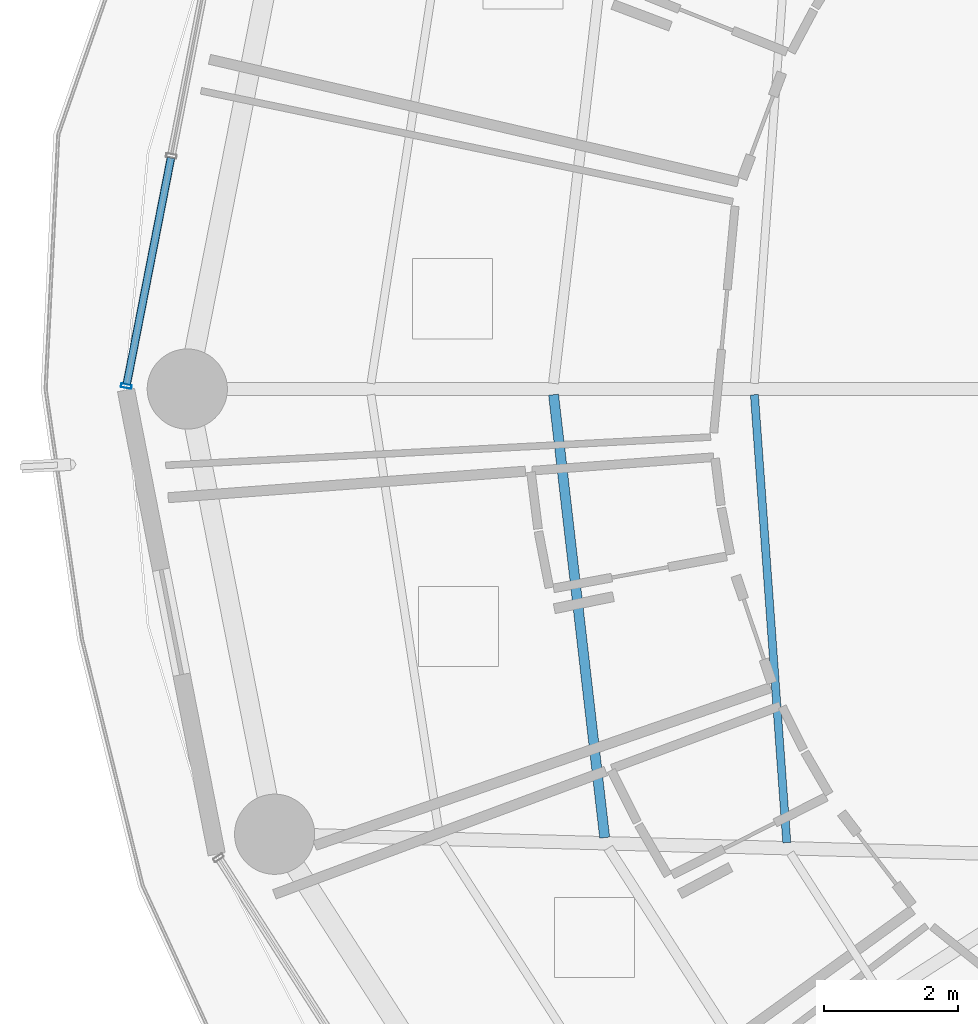
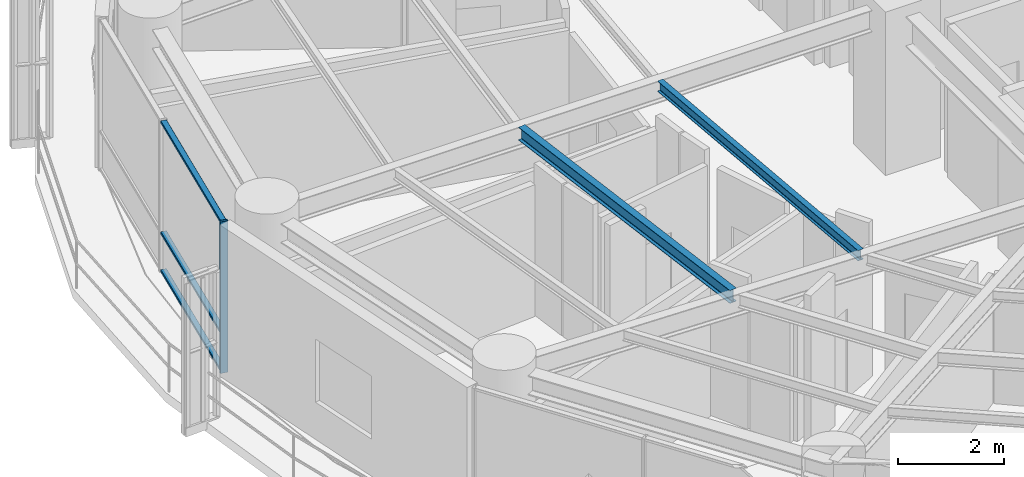
# One storey, part 6 of 27: 4 members, 2 beams, 1 element without a shape of its own.
"""IFC4 building model written with IfcOpenShell, lengths in metres."""

from ifc_helpers import new_model, si_unit, direction, frame, origin, origin_2d, place, context, subcontext, project, spatial, hollow_rectangle, i_section, extrude, material, layer, layer_set, material_profile, profile_set, type_object, element, aggregate, save


model = new_model("IFC4")

# Units and contexts
model_context = context("Model", 3, precision=1e-05, world=origin(), true_north=direction((0.0, 1.0)))
body_context = subcontext(model_context, "Body", "Model", "MODEL_VIEW")
ifc_project = project(units=[si_unit("LENGTHUNIT", "METRE"), si_unit("AREAUNIT", "SQUARE_METRE"), si_unit("VOLUMEUNIT", "CUBIC_METRE"), si_unit("PLANEANGLEUNIT", "RADIAN"), si_unit("MASSUNIT", "GRAM", prefix="KILO")], contexts=[model_context])

# Site, building, storey
site_placement = place(None, origin())
site = spatial("IfcSite", under=ifc_project, at=site_placement, CompositionType="ELEMENT")
building_placement = place(site_placement, origin())
building = spatial("IfcBuilding", under=site, at=building_placement, Name="Kelanora Arch Commons", CompositionType="ELEMENT")
storey_placement = place(building_placement, frame((0.0, 0.0, 143.10009765625)))
storey = spatial("IfcBuildingStorey", under=building, at=storey_placement, Name="L36", CompositionType="ELEMENT", Elevation=143.10009765625)

# Beams
ifc_material_1 = material(Name="Steel S355", Category="steel")
ifc_material_profile_1 = material_profile(ifc_material_1, i_section(OverallWidth=0.14990234375, OverallDepth=0.300048828125, WebThickness=0.007080078125, FlangeThickness=0.0107421875, FilletRadius=0.014892578125, at=origin_2d()), Name="IPE300")
ifc_profile_set_1 = profile_set([ifc_material_profile_1], Name="Steel S355")
beam_type_1 = type_object("IfcBeamType", Name="BM-JST-01", PredefinedType="JOIST", material=ifc_profile_set_1)
beam_1_placement = place(storey_placement, frame((57.8017578125, 57.91552734375, 3.33984375), z_axis=(0.114667159005, -0.9934039675, 0.0), x_axis=(0.9934039675, 0.114667159005, 0.0)))
element("IfcBeam", 1, at=beam_1_placement, inside=storey, type_object=beam_type_1, Name="Secondary Chord Joist BJB-18 L36", PredefinedType="JOIST", context=body_context, shape_type="SweptSolid", body=[
    extrude(i_section(OverallWidth=0.14990234375, OverallDepth=0.300048828125, WebThickness=0.007080078125, FlangeThickness=0.0107421875, FilletRadius=0.014892578125, at=origin_2d()), origin(), (0.0, 0.0, 1.0), 6.672607421875),
])
ifc_material_profile_2 = material_profile(ifc_material_1, i_section(OverallWidth=0.1201171875, OverallDepth=0.239990234375, WebThickness=0.006103515625, FlangeThickness=0.009765625, FilletRadius=0.014892578125, at=origin_2d()), Name="IPE240")
ifc_profile_set_2 = profile_set([ifc_material_profile_2], Name="Steel S355")
beam_type_2 = type_object("IfcBeamType", Name="BM-JST-02", PredefinedType="JOIST", material=ifc_profile_set_2)
beam_2_placement = place(storey_placement, frame((60.8076171875, 57.915283203125, 3.369873046875), z_axis=(0.072117123738, -0.997396170267, 0.0), x_axis=(0.997396170267, 0.072117123738, 0.0)))
element("IfcBeam", 2, at=beam_2_placement, inside=storey, type_object=beam_type_2, Name="Secondary Chord Joist BJA-18 L36", PredefinedType="JOIST", context=body_context, shape_type="SweptSolid", body=[
    extrude(i_section(OverallWidth=0.1201171875, OverallDepth=0.239990234375, WebThickness=0.006103515625, FlangeThickness=0.009765625, FilletRadius=0.014892578125, at=origin_2d()), origin(), (0.0, 0.0, 1.0), 6.719970703125),
])

# Curtain wall, members
ifc_material_2 = material(Name="Terracotta ceramic-fritted low-E glass and aluminium", Category="masonry")
ifc_layer = layer(ifc_material_2, 0.175048828125)
ifc_layer_set = layer_set([ifc_layer], Name="Terracotta ceramic-fritted low-E glass and aluminium")
curtain_wall_type = type_object("IfcCurtainWallType", Name="CW-SYS-02", PredefinedType="NOTDEFINED", material=ifc_layer_set)
curtain_wall_placement = place(storey_placement, origin())
curtain_wall = element("IfcCurtainWall", 3, at=curtain_wall_placement, inside=storey, type_object=curtain_wall_type, Name="Unitised Curtain Wall L36-B08", PredefinedType="NOTDEFINED")
ifc_material_3 = material(Name="Powder-coated aluminium terracotta", Category="masonry")
ifc_material_profile_3 = material_profile(ifc_material_3, hollow_rectangle(XDim=0.159912109375, YDim=0.06005859375, WallThickness=0.0048828125, InnerFilletRadius=0.0048828125, OuterFilletRadius=0.010009765625, at=origin_2d()), Name="CWM160x60")
ifc_profile_set_3 = profile_set([ifc_material_profile_3], Name="Powder-coated aluminium terracotta")
member_type_1 = type_object("IfcMemberType", Name="CWM-STD", PredefinedType="MULLION", material=ifc_profile_set_3)
member_1_placement = place(storey_placement, frame((51.40869140625, 58.044189453125, 0.0), z_axis=(0.0, 0.0, 1.0), x_axis=(0.981452557718, -0.191705182375, 0.0)))
member_1 = element("IfcMember", 4, at=member_1_placement, type_object=member_type_1, Name="CW-02 mullion 3", PredefinedType="MULLION", context=body_context, shape_type="SweptSolid", body=[
    extrude(hollow_rectangle(XDim=0.159912109375, YDim=0.06005859375, WallThickness=0.0048828125, InnerFilletRadius=0.0048828125, OuterFilletRadius=0.010009765625, at=origin_2d()), origin(), (0.0, 0.0, 1.0), 3.474853515625),
])
ifc_material_profile_4 = material_profile(ifc_material_3, hollow_rectangle(XDim=0.1201171875, YDim=0.06005859375, WallThickness=0.0048828125, InnerFilletRadius=0.0048828125, OuterFilletRadius=0.010009765625, at=origin_2d()), Name="CWT120x60")
ifc_profile_set_4 = profile_set([ifc_material_profile_4], Name="Powder-coated aluminium terracotta")
member_type_2 = type_object("IfcMemberType", Name="CWT-STD", PredefinedType="USERDEFINED", material=ifc_profile_set_4)
member_2_placement = place(storey_placement, frame((52.07568359375, 61.459228515625, 0.02978515625), z_axis=(-0.191718206447, -0.981450013662, 0.0), x_axis=(0.981450013662, -0.191718206447, 0.0)))
member_2 = element("IfcMember", 5, at=member_2_placement, type_object=member_type_2, Name="CW-02 transom 2.1", ObjectType="TRANSOM", PredefinedType="USERDEFINED", context=body_context, shape_type="SweptSolid", body=[
    extrude(hollow_rectangle(XDim=0.1201171875, YDim=0.06005859375, WallThickness=0.0048828125, InnerFilletRadius=0.0048828125, OuterFilletRadius=0.010009765625, at=origin_2d()), origin(), (0.0, 0.0, 1.0), 3.44970703125),
])
member_3_placement = place(storey_placement, frame((52.07568359375, 61.459228515625, 0.89990234375), z_axis=(-0.191718206447, -0.981450013662, 0.0), x_axis=(0.981450013662, -0.191718206447, 0.0)))
member_3 = element("IfcMember", 6, at=member_3_placement, type_object=member_type_2, Name="CW-02 transom 2.2", ObjectType="TRANSOM", PredefinedType="USERDEFINED", context=body_context, shape_type="SweptSolid", body=[
    extrude(hollow_rectangle(XDim=0.1201171875, YDim=0.06005859375, WallThickness=0.0048828125, InnerFilletRadius=0.0048828125, OuterFilletRadius=0.010009765625, at=origin_2d()), origin(), (0.0, 0.0, 1.0), 3.44970703125),
])
member_4_placement = place(storey_placement, frame((52.07568359375, 61.459228515625, 3.44482421875), z_axis=(-0.191718206447, -0.981450013662, 0.0), x_axis=(0.981450013662, -0.191718206447, 0.0)))
member_4 = element("IfcMember", 7, at=member_4_placement, type_object=member_type_2, Name="CW-02 transom 2.3", ObjectType="TRANSOM", PredefinedType="USERDEFINED", context=body_context, shape_type="SweptSolid", body=[
    extrude(hollow_rectangle(XDim=0.1201171875, YDim=0.06005859375, WallThickness=0.0048828125, InnerFilletRadius=0.0048828125, OuterFilletRadius=0.010009765625, at=origin_2d()), origin(), (0.0, 0.0, 1.0), 3.44970703125),
])
aggregate(curtain_wall, [member_1, member_2, member_3, member_4])

save(model, "model.ifc")
